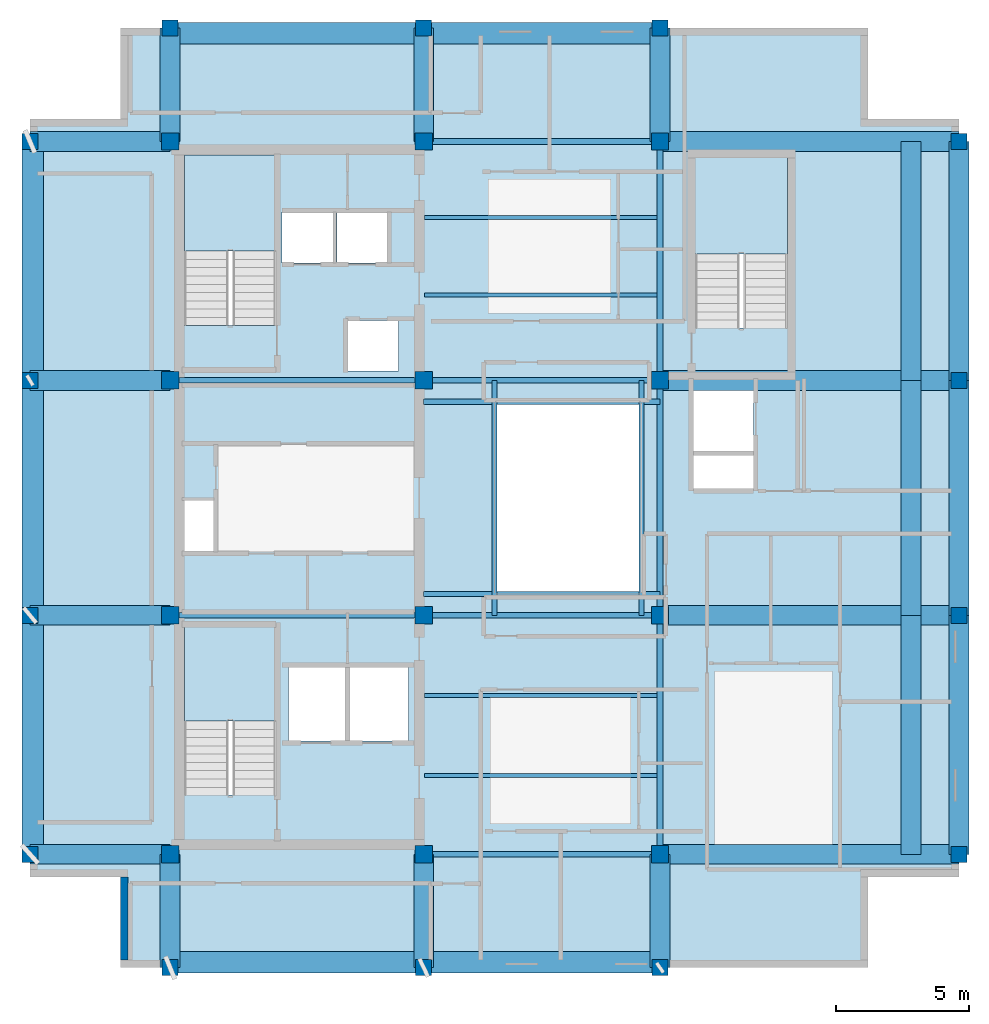
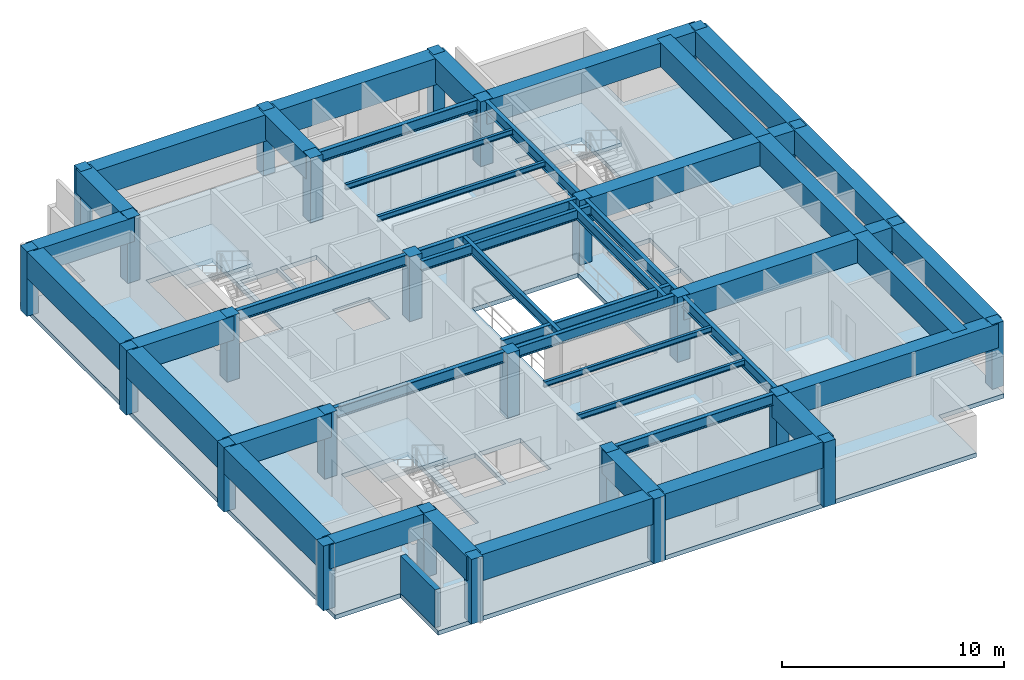
# One storey, part 1 of 6: 44 beams, 26 columns, 4 slabs, 1 wall, 3 elements without a shape of their own.
"""IFC4 building model written with IfcOpenShell, lengths in metres."""

from ifc_helpers import new_model, si_unit, direction, frame, frame_2d, origin, origin_2d, place, context, subcontext, project, spatial, polyline, rectangle, i_section, outline, extrude, material, layer, layer_set, material_profile, profile_set, type_object, element, aggregate, save


model = new_model("IFC4")

# Units and contexts
model_context = context("Model", 3, precision=1e-05, world=origin(), true_north=direction((0.0, 1.0)))
body_context = subcontext(model_context, "Body", "Model", "MODEL_VIEW")
ifc_project = project(units=[si_unit("LENGTHUNIT", "METRE"), si_unit("AREAUNIT", "SQUARE_METRE"), si_unit("VOLUMEUNIT", "CUBIC_METRE"), si_unit("PLANEANGLEUNIT", "RADIAN"), si_unit("MASSUNIT", "GRAM", prefix="KILO")], contexts=[model_context])

# Site, building, storey
site_placement = place(None, origin())
site = spatial("IfcSite", under=ifc_project, at=site_placement, CompositionType="ELEMENT")
building_placement = place(site_placement, origin())
building = spatial("IfcBuilding", under=site, at=building_placement, Name="Kundavana Baori Tower", CompositionType="ELEMENT")
storey_placement = place(building_placement, frame((0.0, 0.0, 331.5)))
storey = spatial("IfcBuildingStorey", under=building, at=storey_placement, Name="L82", CompositionType="ELEMENT", Elevation=331.5)

# Columns
ifc_material_1 = material(Name="Concrete C50/60", Category="concrete")
ifc_material_profile_1 = material_profile(ifc_material_1, rectangle(XDim=0.60009765625, YDim=0.60009765625, at=origin_2d()), Name="RC PF 600x600")
ifc_profile_set_1 = profile_set([ifc_material_profile_1], Name="Concrete C50/60")
column_type_1 = type_object("IfcColumnType", Name="COL-PF-600", PredefinedType="COLUMN", material=ifc_profile_set_1)
for number, where, z_axis, x_axis, name in (
    (1, (15.449951171875, 11.0, 0.0), (0.0, 0.0, 1.0), (1.0, 0.0, 0.0), "L82 Stone-Clad Perimeter Frame Column PF-S1"),
    (2, (15.449951171875, 46.199951171875, 0.0), (0.0, 0.0, 1.0), (1.0, 0.0, 0.0), "L82 Stone-Clad Perimeter Frame Column PF-N1"),
    (3, (24.949951171875, 11.0, 0.0), (0.0, 0.0, 1.0), (1.0, 0.0, 0.0), "L82 Stone-Clad Perimeter Frame Column PF-S2"),
    (4, (24.949951171875, 46.199951171875, 0.0), (0.0, 0.0, 1.0), (1.0, 0.0, 0.0), "L82 Stone-Clad Perimeter Frame Column PF-N2"),
    (5, (33.800048828125, 11.0, 0.0), (0.0, 0.0, 1.0), (1.0, 0.0, 0.0), "L82 Stone-Clad Perimeter Frame Column PF-S3"),
    (6, (33.800048828125, 46.199951171875, 0.0), (0.0, 0.0, 1.0), (1.0, 0.0, 0.0), "L82 Stone-Clad Perimeter Frame Column PF-N3"),
    (7, (10.199951171875, 15.25, 0.0), (0.0, 0.0, 1.0), (1.0, 0.0, 0.0), "L82 Stone-Clad Perimeter Frame Column PF-W1"),
    (8, (45.0, 15.25, 0.0), (0.0, 0.0, 1.0), (1.0, 0.0, 0.0), "L82 Stone-Clad Perimeter Frame Column PF-E1"),
    (9, (10.199951171875, 24.199951171875, 0.0), (0.0, 0.0, 1.0), (1.0, 0.0, 0.0), "L82 Stone-Clad Perimeter Frame Column PF-W2"),
    (10, (45.0, 24.199951171875, 0.0), (0.0, 0.0, 1.0), (1.0, 0.0, 0.0), "L82 Stone-Clad Perimeter Frame Column PF-E2"),
    (11, (10.199951171875, 33.0, 0.0), (0.0, 0.0, 1.0), (1.0, 0.0, 0.0), "L82 Stone-Clad Perimeter Frame Column PF-W3"),
    (12, (45.0, 33.0, 0.0), (0.0, 0.0, 1.0), (1.0, 0.0, 0.0), "L82 Stone-Clad Perimeter Frame Column PF-E3"),
    (13, (10.199951171875, 41.949951171875, 0.0), (0.0, 0.0, 1.0), (1.0, 0.0, 0.0), "L82 Stone-Clad Perimeter Frame Column PF-W4"),
    (14, (45.0, 41.949951171875, 0.0), (0.0, 0.0, 1.0), (1.0, 0.0, 0.0), "L82 Stone-Clad Perimeter Frame Column PF-E4"),
):
    element("IfcColumn", number, at=place(storey_placement, frame(where, z_axis=z_axis, x_axis=x_axis)), inside=storey, type_object=column_type_1, Name=name, PredefinedType="COLUMN", context=body_context, shape_type="SweptSolid", body=[
        extrude(rectangle(XDim=0.60009765625, YDim=0.60009765625, at=origin_2d()), origin(), (0.0, 0.0, 1.0), 3.56005859375),
    ])
ifc_material_2 = material(Name="Concrete C50/60", Category="concrete")
ifc_material_profile_2 = material_profile(ifc_material_2, rectangle(XDim=0.64990234375, YDim=0.64990234375, at=origin_2d()), Name="RC 650x650")
ifc_profile_set_2 = profile_set([ifc_material_profile_2], Name="Concrete C50/60")
column_type_2 = type_object("IfcColumnType", Name="COL-RC-650", PredefinedType="COLUMN", material=ifc_profile_set_2)
for number, where, z_axis, x_axis, name in (
    (15, (15.449951171875, 15.25, 0.0), (0.0, 0.0, 1.0), (1.0, 0.0, 0.0), "L82 Interior Column IC-3C"),
    (16, (15.449951171875, 24.199951171875, 0.0), (0.0, 0.0, 1.0), (1.0, 0.0, 0.0), "L82 Interior Column IC-3D"),
    (17, (15.449951171875, 33.0, 0.0), (0.0, 0.0, 1.0), (1.0, 0.0, 0.0), "L82 Interior Column IC-3E"),
    (18, (15.449951171875, 41.949951171875, 0.0), (0.0, 0.0, 1.0), (1.0, 0.0, 0.0), "L82 Interior Column IC-3F"),
    (19, (24.949951171875, 15.25, 0.0), (0.0, 0.0, 1.0), (1.0, 0.0, 0.0), "L82 Interior Column IC-4C"),
    (20, (24.949951171875, 24.199951171875, 0.0), (0.0, 0.0, 1.0), (1.0, 0.0, 0.0), "L82 Interior Column IC-4D"),
    (21, (24.949951171875, 33.0, 0.0), (0.0, 0.0, 1.0), (1.0, 0.0, 0.0), "L82 Interior Column IC-4E"),
    (22, (24.949951171875, 41.949951171875, 0.0), (0.0, 0.0, 1.0), (1.0, 0.0, 0.0), "L82 Interior Column IC-4F"),
    (23, (33.800048828125, 15.25, 0.0), (0.0, 0.0, 1.0), (1.0, 0.0, 0.0), "L82 Interior Column IC-5C"),
    (24, (33.800048828125, 24.199951171875, 0.0), (0.0, 0.0, 1.0), (1.0, 0.0, 0.0), "L82 Interior Column IC-5D"),
    (25, (33.800048828125, 33.0, 0.0), (0.0, 0.0, 1.0), (1.0, 0.0, 0.0), "L82 Interior Column IC-5E"),
    (26, (33.800048828125, 41.949951171875, 0.0), (0.0, 0.0, 1.0), (1.0, 0.0, 0.0), "L82 Interior Column IC-5F"),
):
    element("IfcColumn", number, at=place(storey_placement, frame(where, z_axis=z_axis, x_axis=x_axis)), inside=storey, type_object=column_type_2, Name=name, PredefinedType="COLUMN", context=body_context, shape_type="SweptSolid", body=[
        extrude(rectangle(XDim=0.64990234375, YDim=0.64990234375, at=origin_2d()), origin(), (0.0, 0.0, 1.0), 3.56005859375),
    ])

# Beams
ifc_material_3 = material(Name="Structural Steel S355JR", Category="steel")
ifc_material_profile_3 = material_profile(ifc_material_3, i_section(OverallWidth=0.139892578125, OverallDepth=0.300048828125, WebThickness=0.0078125, FlangeThickness=0.01318359375, FilletRadius=0.013916015625, at=origin_2d()), Name="ISMB 300")
ifc_profile_set_3 = profile_set([ifc_material_profile_3], Name="Structural Steel S355JR")
beam_type_1 = type_object("IfcBeamType", Name="BM-RF-300", PredefinedType="BEAM", material=ifc_profile_set_3)
for number, where, z_axis, x_axis, name in (
    (27, (24.97998046875, 18.199951171875, 3.409912109375), (1.0, 0.0, 0.0), (0.0, 1.0, 0.0), "L82 Central Bay Composite Floor Joist C1"),
    (28, (24.97998046875, 21.199951171875, 3.409912109375), (1.0, 0.0, 0.0), (0.0, 1.0, 0.0), "L82 Central Bay Composite Floor Joist C2"),
    (29, (24.97998046875, 36.199951171875, 3.409912109375), (1.0, 0.0, 0.0), (0.0, 1.0, 0.0), "L82 Central Bay Composite Floor Joist C3"),
    (30, (24.97998046875, 39.10009765625, 3.409912109375), (1.0, 0.0, 0.0), (0.0, 1.0, 0.0), "L82 Central Bay Composite Floor Joist C4"),
):
    element("IfcBeam", number, at=place(storey_placement, frame(where, z_axis=z_axis, x_axis=x_axis)), inside=storey, type_object=beam_type_1, Name=name, PredefinedType="BEAM", context=body_context, shape_type="SweptSolid", body=[
        extrude(i_section(OverallWidth=0.139892578125, OverallDepth=0.300048828125, WebThickness=0.0078125, FlangeThickness=0.01318359375, FilletRadius=0.013916015625, at=origin_2d()), origin(), (0.0, 0.0, 1.0), 8.715087890625),
    ])
ifc_material_4 = material(Name="Structural Steel S355JR", Category="steel")
ifc_material_profile_4 = material_profile(ifc_material_4, i_section(OverallWidth=0.18994140625, OverallDepth=0.550048828125, WebThickness=0.01123046875, FlangeThickness=0.019287109375, FilletRadius=0.01806640625, at=origin_2d()), Name="ISMB 550")
ifc_profile_set_4 = profile_set([ifc_material_profile_4], Name="Structural Steel S355JR")
beam_type_2 = type_object("IfcBeamType", Name="BM-ST-550", PredefinedType="BEAM", material=ifc_profile_set_4)
for number, where, z_axis, x_axis, name in (
    (31, (27.60009765625, 24.199951171875, 3.284912109375), (0.0, 1.0, 0.0), (-1.0, 0.0, 0.0), "L82 Atrium West Edge Beam"),
    (32, (33.10009765625, 24.199951171875, 3.284912109375), (0.0, 1.0, 0.0), (-1.0, 0.0, 0.0), "L82 Atrium East Edge Beam"),
):
    element("IfcBeam", number, at=place(storey_placement, frame(where, z_axis=z_axis, x_axis=x_axis)), inside=storey, type_object=beam_type_2, Name=name, PredefinedType="BEAM", context=body_context, shape_type="SweptSolid", body=[
        extrude(i_section(OverallWidth=0.18994140625, OverallDepth=0.550048828125, WebThickness=0.01123046875, FlangeThickness=0.019287109375, FilletRadius=0.01806640625, at=origin_2d()), origin(), (0.0, 0.0, 1.0), 8.800048828125),
    ])
for number, where, z_axis, x_axis, name in (
    (33, (24.949951171875, 25.0, 3.284912109375), (1.0, 0.0, 0.0), (0.0, 1.0, 0.0), "L82 Atrium South Edge Beam"),
    (34, (24.949951171875, 32.199951171875, 3.284912109375), (1.0, 0.0, 0.0), (0.0, 1.0, 0.0), "L82 Atrium North Edge Beam"),
):
    element("IfcBeam", number, at=place(storey_placement, frame(where, z_axis=z_axis, x_axis=x_axis)), inside=storey, type_object=beam_type_2, Name=name, PredefinedType="BEAM", context=body_context, shape_type="SweptSolid", body=[
        extrude(i_section(OverallWidth=0.18994140625, OverallDepth=0.550048828125, WebThickness=0.01123046875, FlangeThickness=0.019287109375, FilletRadius=0.01806640625, at=origin_2d()), origin(), (0.0, 0.0, 1.0), 8.85009765625),
    ])
ifc_material_5 = material(Name="Structural Steel S355JR", Category="steel")
ifc_material_profile_5 = material_profile(ifc_material_5, i_section(OverallWidth=0.2099609375, OverallDepth=0.60009765625, WebThickness=0.011962890625, FlangeThickness=0.020751953125, FilletRadius=0.02001953125, at=origin_2d()), Name="ISMB 600")
ifc_profile_set_5 = profile_set([ifc_material_profile_5], Name="Structural Steel S355JR")
beam_type_3 = type_object("IfcBeamType", Name="BM-ST-600", PredefinedType="BEAM", material=ifc_profile_set_5)
beam_1_placement = place(storey_placement, frame((24.949951171875, 15.25, 3.260009765625), z_axis=(1.0, 0.0, 0.0), x_axis=(0.0, 1.0, 0.0)))
element("IfcBeam", 35, at=beam_1_placement, inside=storey, type_object=beam_type_3, Name="L82 Primary Grid Girder GX-1-2", PredefinedType="BEAM", context=body_context, shape_type="SweptSolid", body=[
    extrude(i_section(OverallWidth=0.2099609375, OverallDepth=0.60009765625, WebThickness=0.011962890625, FlangeThickness=0.020751953125, FilletRadius=0.02001953125, at=origin_2d()), origin(), (0.0, 0.0, 1.0), 8.85009765625),
])
beam_2_placement = place(storey_placement, frame((15.449951171875, 24.199951171875, 3.260009765625), z_axis=(1.0, 0.0, 0.0), x_axis=(0.0, 1.0, 0.0)))
element("IfcBeam", 36, at=beam_2_placement, inside=storey, type_object=beam_type_3, Name="L82 Primary Grid Girder GX-2-1", PredefinedType="BEAM", context=body_context, shape_type="SweptSolid", body=[
    extrude(i_section(OverallWidth=0.2099609375, OverallDepth=0.60009765625, WebThickness=0.011962890625, FlangeThickness=0.020751953125, FilletRadius=0.02001953125, at=origin_2d()), origin(), (0.0, 0.0, 1.0), 9.5),
])
beam_3_placement = place(storey_placement, frame((24.949951171875, 24.199951171875, 3.260009765625), z_axis=(1.0, 0.0, 0.0), x_axis=(0.0, 1.0, 0.0)))
element("IfcBeam", 37, at=beam_3_placement, inside=storey, type_object=beam_type_3, Name="L82 Primary Grid Girder GX-2-2", PredefinedType="BEAM", context=body_context, shape_type="SweptSolid", body=[
    extrude(i_section(OverallWidth=0.2099609375, OverallDepth=0.60009765625, WebThickness=0.011962890625, FlangeThickness=0.020751953125, FilletRadius=0.02001953125, at=origin_2d()), origin(), (0.0, 0.0, 1.0), 8.85009765625),
])
beam_4_placement = place(storey_placement, frame((15.449951171875, 33.0, 3.260009765625), z_axis=(1.0, 0.0, 0.0), x_axis=(0.0, 1.0, 0.0)))
element("IfcBeam", 38, at=beam_4_placement, inside=storey, type_object=beam_type_3, Name="L82 Primary Grid Girder GX-3-1", PredefinedType="BEAM", context=body_context, shape_type="SweptSolid", body=[
    extrude(i_section(OverallWidth=0.2099609375, OverallDepth=0.60009765625, WebThickness=0.011962890625, FlangeThickness=0.020751953125, FilletRadius=0.02001953125, at=origin_2d()), origin(), (0.0, 0.0, 1.0), 9.5),
])
for number, where, z_axis, x_axis, name in (
    (39, (24.949951171875, 33.0, 3.260009765625), (1.0, 0.0, 0.0), (0.0, 1.0, 0.0), "L82 Primary Grid Girder GX-3-2"),
    (40, (24.949951171875, 41.949951171875, 3.260009765625), (1.0, 0.0, 0.0), (0.0, 1.0, 0.0), "L82 Primary Grid Girder GX-4-2"),
):
    element("IfcBeam", number, at=place(storey_placement, frame(where, z_axis=z_axis, x_axis=x_axis)), inside=storey, type_object=beam_type_3, Name=name, PredefinedType="BEAM", context=body_context, shape_type="SweptSolid", body=[
        extrude(i_section(OverallWidth=0.2099609375, OverallDepth=0.60009765625, WebThickness=0.011962890625, FlangeThickness=0.020751953125, FilletRadius=0.02001953125, at=origin_2d()), origin(), (0.0, 0.0, 1.0), 8.85009765625),
    ])
beam_5_placement = place(storey_placement, frame((33.800048828125, 15.25, 3.260009765625), z_axis=(0.0, 1.0, 0.0), x_axis=(-1.0, 0.0, 0.0)))
element("IfcBeam", 41, at=beam_5_placement, inside=storey, type_object=beam_type_3, Name="L82 Primary Grid Girder GY-3-1", PredefinedType="BEAM", context=body_context, shape_type="SweptSolid", body=[
    extrude(i_section(OverallWidth=0.2099609375, OverallDepth=0.60009765625, WebThickness=0.011962890625, FlangeThickness=0.020751953125, FilletRadius=0.02001953125, at=origin_2d()), origin(), (0.0, 0.0, 1.0), 8.949951171875),
])
beam_6_placement = place(storey_placement, frame((33.800048828125, 24.199951171875, 3.260009765625), z_axis=(0.0, 1.0, 0.0), x_axis=(-1.0, 0.0, 0.0)))
element("IfcBeam", 42, at=beam_6_placement, inside=storey, type_object=beam_type_3, Name="L82 Primary Grid Girder GY-3-2", PredefinedType="BEAM", context=body_context, shape_type="SweptSolid", body=[
    extrude(i_section(OverallWidth=0.2099609375, OverallDepth=0.60009765625, WebThickness=0.011962890625, FlangeThickness=0.020751953125, FilletRadius=0.02001953125, at=origin_2d()), origin(), (0.0, 0.0, 1.0), 8.800048828125),
])
beam_7_placement = place(storey_placement, frame((33.800048828125, 33.0, 3.260009765625), z_axis=(0.0, 1.0, 0.0), x_axis=(-1.0, 0.0, 0.0)))
element("IfcBeam", 43, at=beam_7_placement, inside=storey, type_object=beam_type_3, Name="L82 Primary Grid Girder GY-3-3", PredefinedType="BEAM", context=body_context, shape_type="SweptSolid", body=[
    extrude(i_section(OverallWidth=0.2099609375, OverallDepth=0.60009765625, WebThickness=0.011962890625, FlangeThickness=0.020751953125, FilletRadius=0.02001953125, at=origin_2d()), origin(), (0.0, 0.0, 1.0), 8.949951171875),
])
ifc_material_6 = material(Name="Concrete C50/60", Category="concrete")
ifc_material_profile_6 = material_profile(ifc_material_6, rectangle(XDim=0.800048828125, YDim=1.449951171875, at=origin_2d()), Name="BM-TG-1")
ifc_profile_set_6 = profile_set([ifc_material_profile_6], Name="Concrete C50/60")
beam_type_4 = type_object("IfcBeamType", Name="BM-TG-1", PredefinedType="USERDEFINED", material=ifc_profile_set_6)
beam_8_placement = place(storey_placement, frame((15.449951171875, 11.199951171875, 2.8349609375), z_axis=(1.0, 0.0, 0.0), x_axis=(0.0, 1.0, 0.0)))
element("IfcBeam", 44, at=beam_8_placement, inside=storey, type_object=beam_type_4, Name="L82 Perimeter Frame Ring Beam S1", ObjectType="TRANSFER GIRDER", PredefinedType="USERDEFINED", context=body_context, shape_type="SweptSolid", body=[
    extrude(rectangle(XDim=0.800048828125, YDim=1.449951171875, at=origin_2d()), origin(), (0.0, 0.0, 1.0), 9.5),
])
beam_9_placement = place(storey_placement, frame((24.949951171875, 11.199951171875, 2.8349609375), z_axis=(1.0, 0.0, 0.0), x_axis=(0.0, 1.0, 0.0)))
element("IfcBeam", 45, at=beam_9_placement, inside=storey, type_object=beam_type_4, Name="L82 Perimeter Frame Ring Beam S2", ObjectType="TRANSFER GIRDER", PredefinedType="USERDEFINED", context=body_context, shape_type="SweptSolid", body=[
    extrude(rectangle(XDim=0.800048828125, YDim=1.449951171875, at=origin_2d()), origin(), (0.0, 0.0, 1.0), 8.85009765625),
])
beam_10_placement = place(storey_placement, frame((15.449951171875, 46.0, 2.8349609375), z_axis=(1.0, 0.0, 0.0), x_axis=(0.0, 1.0, 0.0)))
element("IfcBeam", 46, at=beam_10_placement, inside=storey, type_object=beam_type_4, Name="L82 Perimeter Frame Ring Beam N1", ObjectType="TRANSFER GIRDER", PredefinedType="USERDEFINED", context=body_context, shape_type="SweptSolid", body=[
    extrude(rectangle(XDim=0.800048828125, YDim=1.449951171875, at=origin_2d()), origin(), (0.0, 0.0, 1.0), 9.5),
])
beam_11_placement = place(storey_placement, frame((24.949951171875, 46.0, 2.8349609375), z_axis=(1.0, 0.0, 0.0), x_axis=(0.0, 1.0, 0.0)))
element("IfcBeam", 47, at=beam_11_placement, inside=storey, type_object=beam_type_4, Name="L82 Perimeter Frame Ring Beam N2", ObjectType="TRANSFER GIRDER", PredefinedType="USERDEFINED", context=body_context, shape_type="SweptSolid", body=[
    extrude(rectangle(XDim=0.800048828125, YDim=1.449951171875, at=origin_2d()), origin(), (0.0, 0.0, 1.0), 8.85009765625),
])
beam_12_placement = place(storey_placement, frame((10.300048828125, 15.25, 2.8349609375), z_axis=(0.0, 1.0, 0.0), x_axis=(-1.0, 0.0, 0.0)))
element("IfcBeam", 48, at=beam_12_placement, inside=storey, type_object=beam_type_4, Name="L82 Perimeter Frame Ring Beam W1", ObjectType="TRANSFER GIRDER", PredefinedType="USERDEFINED", context=body_context, shape_type="SweptSolid", body=[
    extrude(rectangle(XDim=0.800048828125, YDim=1.449951171875, at=origin_2d()), origin(), (0.0, 0.0, 1.0), 8.949951171875),
])
beam_13_placement = place(storey_placement, frame((10.300048828125, 24.199951171875, 2.8349609375), z_axis=(0.0, 1.0, 0.0), x_axis=(-1.0, 0.0, 0.0)))
element("IfcBeam", 49, at=beam_13_placement, inside=storey, type_object=beam_type_4, Name="L82 Perimeter Frame Ring Beam W2", ObjectType="TRANSFER GIRDER", PredefinedType="USERDEFINED", context=body_context, shape_type="SweptSolid", body=[
    extrude(rectangle(XDim=0.800048828125, YDim=1.449951171875, at=origin_2d()), origin(), (0.0, 0.0, 1.0), 8.800048828125),
])
beam_14_placement = place(storey_placement, frame((10.300048828125, 33.0, 2.8349609375), z_axis=(0.0, 1.0, 0.0), x_axis=(-1.0, 0.0, 0.0)))
element("IfcBeam", 50, at=beam_14_placement, inside=storey, type_object=beam_type_4, Name="L82 Perimeter Frame Ring Beam W3", ObjectType="TRANSFER GIRDER", PredefinedType="USERDEFINED", context=body_context, shape_type="SweptSolid", body=[
    extrude(rectangle(XDim=0.800048828125, YDim=1.449951171875, at=origin_2d()), origin(), (0.0, 0.0, 1.0), 8.949951171875),
])
ifc_material_7 = material(Name="Concrete C50/60", Category="concrete")
ifc_material_profile_7 = material_profile(ifc_material_7, rectangle(XDim=0.739990234375, YDim=1.320068359375, at=origin_2d()), Name="BM-TG-5")
ifc_profile_set_7 = profile_set([ifc_material_profile_7], Name="Concrete C50/60")
beam_type_5 = type_object("IfcBeamType", Name="BM-TG-5", PredefinedType="USERDEFINED", material=ifc_profile_set_7)
beam_15_placement = place(storey_placement, frame((45.0, 15.25, 2.89990234375), z_axis=(0.0, 1.0, 0.0), x_axis=(-1.0, 0.0, 0.0)))
element("IfcBeam", 51, at=beam_15_placement, inside=storey, type_object=beam_type_5, Name="L82 Perimeter Frame Ring Beam E1", ObjectType="TRANSFER GIRDER", PredefinedType="USERDEFINED", context=body_context, shape_type="SweptSolid", body=[
    extrude(rectangle(XDim=0.739990234375, YDim=1.320068359375, at=origin_2d()), origin(), (0.0, 0.0, 1.0), 8.949951171875),
])
beam_16_placement = place(storey_placement, frame((45.0, 24.199951171875, 2.89990234375), z_axis=(0.0, 1.0, 0.0), x_axis=(-1.0, 0.0, 0.0)))
element("IfcBeam", 52, at=beam_16_placement, inside=storey, type_object=beam_type_5, Name="L82 Perimeter Frame Ring Beam E2", ObjectType="TRANSFER GIRDER", PredefinedType="USERDEFINED", context=body_context, shape_type="SweptSolid", body=[
    extrude(rectangle(XDim=0.739990234375, YDim=1.320068359375, at=origin_2d()), origin(), (0.0, 0.0, 1.0), 8.800048828125),
])
beam_17_placement = place(storey_placement, frame((45.0, 33.0, 2.89990234375), z_axis=(0.0, 1.0, 0.0), x_axis=(-1.0, 0.0, 0.0)))
element("IfcBeam", 53, at=beam_17_placement, inside=storey, type_object=beam_type_5, Name="L82 Perimeter Frame Ring Beam E3", ObjectType="TRANSFER GIRDER", PredefinedType="USERDEFINED", context=body_context, shape_type="SweptSolid", body=[
    extrude(rectangle(XDim=0.739990234375, YDim=1.320068359375, at=origin_2d()), origin(), (0.0, 0.0, 1.0), 8.949951171875),
])
for number, where, z_axis, x_axis, name in (
    (54, (15.449951171875, 15.25, 2.89990234375), (0.0, -1.0, 0.0), (1.0, 0.0, 0.0), "L82 South Radial Transfer Girder S1"),
    (55, (15.449951171875, 41.949951171875, 2.89990234375), (0.0, 1.0, 0.0), (-1.0, 0.0, 0.0), "L82 North Radial Transfer Girder N1"),
    (56, (24.949951171875, 15.25, 2.89990234375), (0.0, -1.0, 0.0), (1.0, 0.0, 0.0), "L82 South Radial Transfer Girder S2"),
    (57, (24.949951171875, 41.949951171875, 2.89990234375), (0.0, 1.0, 0.0), (-1.0, 0.0, 0.0), "L82 North Radial Transfer Girder N2"),
    (58, (33.800048828125, 15.25, 2.89990234375), (0.0, -1.0, 0.0), (1.0, 0.0, 0.0), "L82 South Radial Transfer Girder S3"),
    (59, (33.800048828125, 41.949951171875, 2.89990234375), (0.0, 1.0, 0.0), (-1.0, 0.0, 0.0), "L82 North Radial Transfer Girder N3"),
):
    element("IfcBeam", number, at=place(storey_placement, frame(where, z_axis=z_axis, x_axis=x_axis)), inside=storey, type_object=beam_type_5, Name=name, ObjectType="TRANSFER GIRDER", PredefinedType="USERDEFINED", context=body_context, shape_type="SweptSolid", body=[
        extrude(rectangle(XDim=0.739990234375, YDim=1.320068359375, at=origin_2d()), origin(), (0.0, 0.0, 1.0), 4.25),
    ])
beam_18_placement = place(storey_placement, frame((15.449951171875, 15.25, 2.89990234375), z_axis=(-1.0, 0.0, 0.0), x_axis=(0.0, -1.0, 0.0)))
element("IfcBeam", 60, at=beam_18_placement, inside=storey, type_object=beam_type_5, Name="L82 West Radial Transfer Girder W1", ObjectType="TRANSFER GIRDER", PredefinedType="USERDEFINED", context=body_context, shape_type="SweptSolid", body=[
    extrude(rectangle(XDim=0.739990234375, YDim=1.320068359375, at=origin_2d()), origin(), (0.0, 0.0, 1.0), 5.25),
])
beam_19_placement = place(storey_placement, frame((33.800048828125, 15.25, 2.89990234375), z_axis=(1.0, 0.0, 0.0), x_axis=(0.0, 1.0, 0.0)))
element("IfcBeam", 61, at=beam_19_placement, inside=storey, type_object=beam_type_5, Name="L82 East Radial Transfer Girder E1", ObjectType="TRANSFER GIRDER", PredefinedType="USERDEFINED", context=body_context, shape_type="SweptSolid", body=[
    extrude(rectangle(XDim=0.739990234375, YDim=1.320068359375, at=origin_2d()), origin(), (0.0, 0.0, 1.0), 11.199951171875),
])
beam_20_placement = place(storey_placement, frame((15.449951171875, 24.199951171875, 2.89990234375), z_axis=(-1.0, 0.0, 0.0), x_axis=(0.0, -1.0, 0.0)))
element("IfcBeam", 62, at=beam_20_placement, inside=storey, type_object=beam_type_5, Name="L82 West Radial Transfer Girder W2", ObjectType="TRANSFER GIRDER", PredefinedType="USERDEFINED", context=body_context, shape_type="SweptSolid", body=[
    extrude(rectangle(XDim=0.739990234375, YDim=1.320068359375, at=origin_2d()), origin(), (0.0, 0.0, 1.0), 5.25),
])
beam_21_placement = place(storey_placement, frame((33.800048828125, 24.199951171875, 2.89990234375), z_axis=(1.0, 0.0, 0.0), x_axis=(0.0, 1.0, 0.0)))
element("IfcBeam", 63, at=beam_21_placement, inside=storey, type_object=beam_type_5, Name="L82 East Radial Transfer Girder E2", ObjectType="TRANSFER GIRDER", PredefinedType="USERDEFINED", context=body_context, shape_type="SweptSolid", body=[
    extrude(rectangle(XDim=0.739990234375, YDim=1.320068359375, at=origin_2d()), origin(), (0.0, 0.0, 1.0), 11.199951171875),
])
beam_22_placement = place(storey_placement, frame((15.449951171875, 33.0, 2.89990234375), z_axis=(-1.0, 0.0, 0.0), x_axis=(0.0, -1.0, 0.0)))
element("IfcBeam", 64, at=beam_22_placement, inside=storey, type_object=beam_type_5, Name="L82 West Radial Transfer Girder W3", ObjectType="TRANSFER GIRDER", PredefinedType="USERDEFINED", context=body_context, shape_type="SweptSolid", body=[
    extrude(rectangle(XDim=0.739990234375, YDim=1.320068359375, at=origin_2d()), origin(), (0.0, 0.0, 1.0), 5.25),
])
beam_23_placement = place(storey_placement, frame((33.800048828125, 33.0, 2.89990234375), z_axis=(1.0, 0.0, 0.0), x_axis=(0.0, 1.0, 0.0)))
element("IfcBeam", 65, at=beam_23_placement, inside=storey, type_object=beam_type_5, Name="L82 East Radial Transfer Girder E3", ObjectType="TRANSFER GIRDER", PredefinedType="USERDEFINED", context=body_context, shape_type="SweptSolid", body=[
    extrude(rectangle(XDim=0.739990234375, YDim=1.320068359375, at=origin_2d()), origin(), (0.0, 0.0, 1.0), 11.199951171875),
])
beam_24_placement = place(storey_placement, frame((15.449951171875, 41.949951171875, 2.89990234375), z_axis=(-1.0, 0.0, 0.0), x_axis=(0.0, -1.0, 0.0)))
element("IfcBeam", 66, at=beam_24_placement, inside=storey, type_object=beam_type_5, Name="L82 West Radial Transfer Girder W4", ObjectType="TRANSFER GIRDER", PredefinedType="USERDEFINED", context=body_context, shape_type="SweptSolid", body=[
    extrude(rectangle(XDim=0.739990234375, YDim=1.320068359375, at=origin_2d()), origin(), (0.0, 0.0, 1.0), 5.25),
])
beam_25_placement = place(storey_placement, frame((33.800048828125, 41.949951171875, 2.89990234375), z_axis=(1.0, 0.0, 0.0), x_axis=(0.0, 1.0, 0.0)))
element("IfcBeam", 67, at=beam_25_placement, inside=storey, type_object=beam_type_5, Name="L82 East Radial Transfer Girder E4", ObjectType="TRANSFER GIRDER", PredefinedType="USERDEFINED", context=body_context, shape_type="SweptSolid", body=[
    extrude(rectangle(XDim=0.739990234375, YDim=1.320068359375, at=origin_2d()), origin(), (0.0, 0.0, 1.0), 11.199951171875),
])
beam_26_placement = place(storey_placement, frame((43.199951171875, 15.25, 2.89990234375), z_axis=(0.0, 1.0, 0.0), x_axis=(-1.0, 0.0, 0.0)))
element("IfcBeam", 68, at=beam_26_placement, inside=storey, type_object=beam_type_5, Name="L82 Setback Collar Transfer Girder E1", ObjectType="TRANSFER GIRDER", PredefinedType="USERDEFINED", context=body_context, shape_type="SweptSolid", body=[
    extrude(rectangle(XDim=0.739990234375, YDim=1.320068359375, at=origin_2d()), origin(), (0.0, 0.0, 1.0), 8.949951171875),
])
beam_27_placement = place(storey_placement, frame((43.199951171875, 24.199951171875, 2.89990234375), z_axis=(0.0, 1.0, 0.0), x_axis=(-1.0, 0.0, 0.0)))
element("IfcBeam", 69, at=beam_27_placement, inside=storey, type_object=beam_type_5, Name="L82 Setback Collar Transfer Girder E2", ObjectType="TRANSFER GIRDER", PredefinedType="USERDEFINED", context=body_context, shape_type="SweptSolid", body=[
    extrude(rectangle(XDim=0.739990234375, YDim=1.320068359375, at=origin_2d()), origin(), (0.0, 0.0, 1.0), 8.800048828125),
])
beam_28_placement = place(storey_placement, frame((43.199951171875, 33.0, 2.89990234375), z_axis=(0.0, 1.0, 0.0), x_axis=(-1.0, 0.0, 0.0)))
element("IfcBeam", 70, at=beam_28_placement, inside=storey, type_object=beam_type_5, Name="L82 Setback Collar Transfer Girder E3", ObjectType="TRANSFER GIRDER", PredefinedType="USERDEFINED", context=body_context, shape_type="SweptSolid", body=[
    extrude(rectangle(XDim=0.739990234375, YDim=1.320068359375, at=origin_2d()), origin(), (0.0, 0.0, 1.0), 8.949951171875),
])

# Slab
ifc_material_8 = material(Name="Concrete C40/50", Category="concrete")
ifc_layer_1 = layer(ifc_material_8, 0.239990234375, Name="SLB-FLR-240")
ifc_layer_set_1 = layer_set([ifc_layer_1], Name="Concrete C40/50")
slab_type_1 = type_object("IfcSlabType", Name="SLB-FLR-240", PredefinedType="FLOOR", material=ifc_layer_set_1)
slab_1_placement = place(storey_placement, frame((0.0, 0.0, -0.239990234375)))
element("IfcSlab", 71, at=slab_1_placement, inside=storey, type_object=slab_type_1, Name="L82 Structural Floor Slab", PredefinedType="FLOOR", context=body_context, shape_type="SweptSolid", body=[
    extrude(outline(polyline([(13.60009765625, 11.0), (41.60009765625, 11.0), (41.60009765625, 14.39990234375), (45.0, 14.39990234375), (45.0, 42.800048828125), (41.60009765625, 42.800048828125), (41.60009765625, 46.199951171875), (13.60009765625, 46.199951171875), (13.60009765625, 42.800048828125), (10.199951171875, 42.800048828125), (10.199951171875, 14.39990234375), (13.60009765625, 14.39990234375), (13.60009765625, 11.0)]), holes=[polyline([(19.43994140625, 17.4619140625), (19.43994140625, 23.85009765625), (15.97998046875, 23.85009765625), (15.97998046875, 17.4619140625), (19.43994140625, 17.4619140625)]), polyline([(19.43994140625, 35.06201171875), (19.43994140625, 41.449951171875), (15.97998046875, 41.449951171875), (15.97998046875, 35.06201171875), (19.43994140625, 35.06201171875)]), polyline([(38.580078125, 34.9619140625), (38.580078125, 41.35009765625), (35.1201171875, 41.35009765625), (35.1201171875, 34.9619140625), (38.580078125, 34.9619140625)]), polyline([(19.64990234375, 37.39990234375), (21.550048828125, 37.39990234375), (21.550048828125, 39.300048828125), (19.64990234375, 39.300048828125), (19.64990234375, 37.39990234375)]), polyline([(21.699951171875, 37.39990234375), (23.60009765625, 37.39990234375), (23.60009765625, 39.300048828125), (21.699951171875, 39.300048828125), (21.699951171875, 37.39990234375)]), polyline([(22.10009765625, 33.35009765625), (24.0, 33.35009765625), (24.0, 35.25), (22.10009765625, 35.25), (22.10009765625, 33.35009765625)]), polyline([(19.8798828125, 19.5), (22.02001953125, 19.5), (22.02001953125, 22.25), (19.8798828125, 22.25), (19.8798828125, 19.5)]), polyline([(22.179931640625, 19.5), (24.3798828125, 19.5), (24.3798828125, 22.25), (22.179931640625, 22.25), (22.179931640625, 19.5)]), polyline([(35.050048828125, 30.35009765625), (37.300048828125, 30.35009765625), (37.300048828125, 32.949951171875), (35.050048828125, 32.949951171875), (35.050048828125, 30.35009765625)]), polyline([(15.949951171875, 26.60009765625), (17.080078125, 26.60009765625), (17.080078125, 28.5), (15.949951171875, 28.5), (15.949951171875, 26.60009765625)]), polyline([(35.050048828125, 28.949951171875), (37.300048828125, 28.949951171875), (37.300048828125, 30.199951171875), (35.050048828125, 30.199951171875), (35.050048828125, 28.949951171875)]), polyline([(27.60009765625, 25.0), (33.10009765625, 25.0), (33.10009765625, 32.199951171875), (27.60009765625, 32.199951171875), (27.60009765625, 25.0)])]), origin(), (0.0, 0.0, 1.0), 0.239990234375),
])

# Stair, slab
ifc_material_9 = material(Name="Concrete C40/50", Category="concrete")
stair_type = type_object("IfcStairType", Name="STR-DOG-1650", PredefinedType="HALF_TURN_STAIR", material=ifc_material_9)
stair_1_placement = place(storey_placement, origin())
stair_1 = element("IfcStair", 72, at=stair_1_placement, inside=storey, type_object=stair_type, Name="L82 Protected Exit Stair ST1", PredefinedType="HALF_TURN_STAIR")
ifc_material_10 = material(Name="Concrete C40/50", Category="concrete")
ifc_layer_2 = layer(ifc_material_10, 0.199951171875, Name="SLB-LND-200")
ifc_layer_set_2 = layer_set([ifc_layer_2], Name="Concrete C40/50")
slab_type_2 = type_object("IfcSlabType", Name="SLB-LND-200", PredefinedType="LANDING", material=ifc_layer_set_2)
slab_2_placement = place(storey_placement, frame((0.0, 0.0, 1.699951171875)))
slab_2 = element("IfcSlab", 73, at=slab_2_placement, type_object=slab_type_2, Name="ST1 landing 1", PredefinedType="LANDING", context=body_context, shape_type="SweptSolid", body=[
    extrude(outline(polyline([(19.43994140625, 20.239990234375), (19.43994140625, 23.85009765625), (15.97998046875, 23.85009765625), (15.97998046875, 20.239990234375), (19.43994140625, 20.239990234375)])), origin(), (0.0, 0.0, 1.0), 0.199951171875),
])
aggregate(stair_1, [slab_2])

stair_2_placement = place(storey_placement, origin())
stair_2 = element("IfcStair", 74, at=stair_2_placement, inside=storey, type_object=stair_type, Name="L82 Protected Exit Stair ST2", PredefinedType="HALF_TURN_STAIR")
slab_3_placement = place(storey_placement, frame((0.0, 0.0, 1.699951171875)))
slab_3 = element("IfcSlab", 75, at=slab_3_placement, type_object=slab_type_2, Name="ST2 landing 1", PredefinedType="LANDING", context=body_context, shape_type="SweptSolid", body=[
    extrude(outline(polyline([(19.43994140625, 37.840087890625), (19.43994140625, 41.449951171875), (15.97998046875, 41.449951171875), (15.97998046875, 37.840087890625), (19.43994140625, 37.840087890625)])), origin(), (0.0, 0.0, 1.0), 0.199951171875),
])
aggregate(stair_2, [slab_3])

stair_3_placement = place(storey_placement, origin())
stair_3 = element("IfcStair", 76, at=stair_3_placement, inside=storey, type_object=stair_type, Name="L82 Protected Exit Stair ST3", PredefinedType="HALF_TURN_STAIR")
slab_4_placement = place(storey_placement, frame((0.0, 0.0, 1.699951171875)))
slab_4 = element("IfcSlab", 77, at=slab_4_placement, type_object=slab_type_2, Name="ST3 landing 1", PredefinedType="LANDING", context=body_context, shape_type="SweptSolid", body=[
    extrude(outline(polyline([(38.580078125, 37.739990234375), (38.580078125, 41.35009765625), (35.1201171875, 41.35009765625), (35.1201171875, 37.739990234375), (38.580078125, 37.739990234375)])), origin(), (0.0, 0.0, 1.0), 0.199951171875),
])
aggregate(stair_3, [slab_4])

# Wall
ifc_material_11 = material(Name="Red-Buff Dholpur Sandstone Cladding on Concrete C40/50", Category="masonry")
ifc_layer_3 = layer(ifc_material_11, 0.280029296875, Name="WL-EXT-SAND-280")
ifc_layer_set_3 = layer_set([ifc_layer_3], Name="Red-Buff Dholpur Sandstone Cladding on Concrete C40/50")
wall_type = type_object("IfcWallType", Name="WL-EXT-SAND-280", PredefinedType="STANDARD", material=ifc_layer_set_3)
wall_placement = place(storey_placement, frame((13.739990234375, 14.39990234375, 0.0), z_axis=(0.0, 0.0, 1.0), x_axis=(0.0, -1.0, 0.0)))
element("IfcWall", 78, at=wall_placement, inside=storey, type_object=wall_type, Name="L82 Exterior Insulated Facade Wall 12", PredefinedType="STANDARD", context=body_context, shape_type="SweptSolid", body=[
    extrude(rectangle(XDim=3.119873046875, YDim=0.280029296875, at=frame_2d((1.56005859375, 0.0))), origin(), (0.0, 0.0, 1.0), 2.080078125),
])

save(model, "model.ifc")
